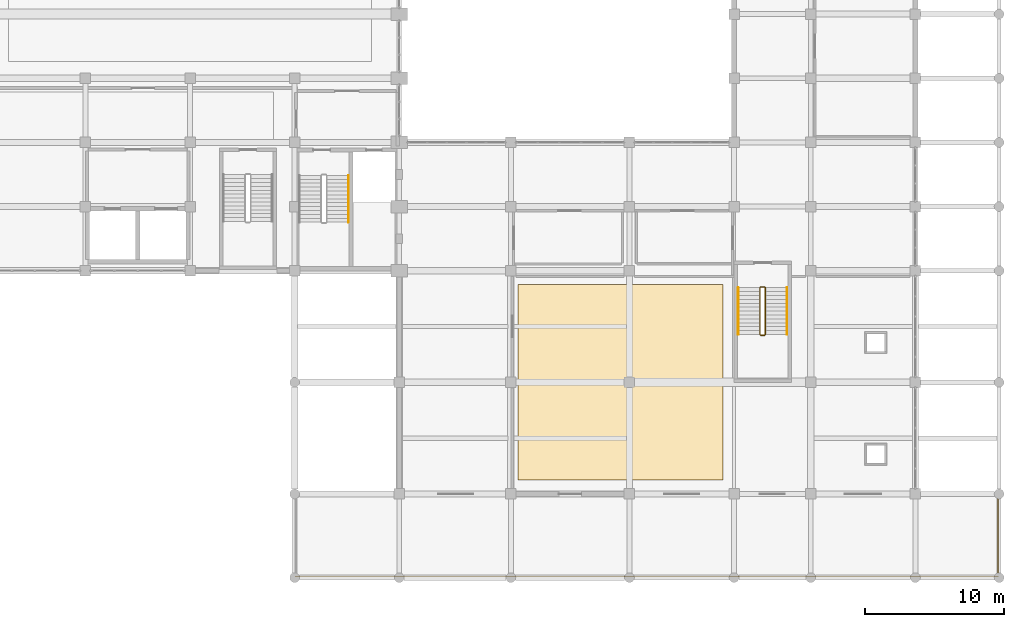
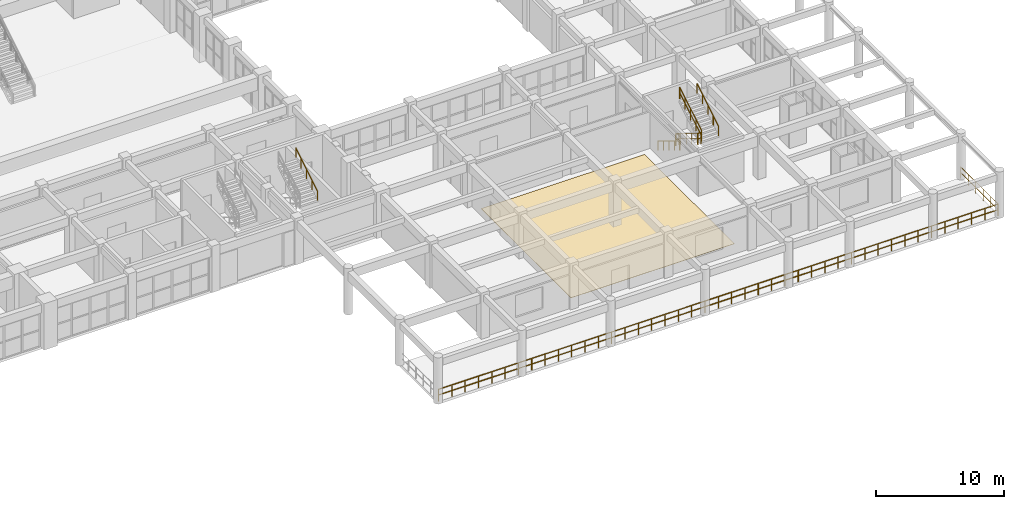
# One storey, part 114 of 116: 9 railings, 1 covering.
"""IFC4 building model written with IfcOpenShell, lengths in metres."""

from ifc_helpers import new_model, si_unit, direction, frame, origin, origin_2d, place, context, subcontext, project, spatial, polyline, circle, outline, extrude, material, layer, layer_set, type_object, element, save


model = new_model("IFC4")

# Units and contexts
model_context = context("Model", 3, precision=1e-05, world=origin(), true_north=direction((0.0, 1.0)))
body_context = subcontext(model_context, "Body", "Model", "MODEL_VIEW")
ifc_project = project(units=[si_unit("LENGTHUNIT", "METRE"), si_unit("AREAUNIT", "SQUARE_METRE"), si_unit("VOLUMEUNIT", "CUBIC_METRE"), si_unit("PLANEANGLEUNIT", "RADIAN"), si_unit("MASSUNIT", "GRAM", prefix="KILO")], contexts=[model_context])

# Site, building, storey
site_placement = place(None, origin())
site = spatial("IfcSite", under=ifc_project, at=site_placement, CompositionType="ELEMENT")
building_placement = place(site_placement, origin())
building = spatial("IfcBuilding", under=site, at=building_placement, Name="Muzn Square Opera House", CompositionType="ELEMENT")
storey_placement = place(building_placement, frame((0.0, 0.0, 5.39990234375)))
storey = spatial("IfcBuildingStorey", under=building, at=storey_placement, Name="L01", CompositionType="ELEMENT", Elevation=5.39990234375)

# Railings
ifc_material_1 = material(Name="Architectural bronze mashrabiya", Category="metal")
railing_type_1 = type_object("IfcRailingType", Name="Bronze Protective Balustrade 1120mm", PredefinedType="BALUSTRADE", material=ifc_material_1)
railing_1_placement = place(storey_placement, frame((125.580078125, 0.080078125, 0.0)))
element("IfcRailing", 1, at=railing_1_placement, inside=storey, type_object=railing_type_1, Name="East Loggia Terrace Balustrade L01-0180", PredefinedType="BALUSTRADE", context=body_context, shape_type="SweptSolid", body=[
    extrude(circle(Radius=0.02392578125, at=origin_2d()), frame((0.0, 0.0, 1.09619140625), z_axis=(1.0, 0.0, 0.0), x_axis=(0.0, 1.0, 0.0)), (0.0, 0.0, 1.0), 50.33984375),
    extrude(circle(Radius=0.02392578125, at=origin_2d()), frame((0.0, 0.0, 0.56005859375), z_axis=(1.0, 0.0, 0.0), x_axis=(0.0, 1.0, 0.0)), (0.0, 0.0, 1.0), 50.33984375),
    extrude(circle(Radius=0.02099609375, at=origin_2d()), origin(), (0.0, 0.0, 1.0), 1.072021484375),
    extrude(circle(Radius=0.02099609375, at=origin_2d()), frame((1.198486328125, 0.0, 0.0)), (0.0, 0.0, 1.0), 1.072021484375),
    extrude(circle(Radius=0.02099609375, at=origin_2d()), frame((2.397216796875, 0.0, 0.0)), (0.0, 0.0, 1.0), 1.072021484375),
    extrude(circle(Radius=0.02099609375, at=origin_2d()), frame((3.595703125, 0.0, 0.0)), (0.0, 0.0, 1.0), 1.072021484375),
    extrude(circle(Radius=0.02099609375, at=origin_2d()), frame((4.794189453125, 0.0, 0.0)), (0.0, 0.0, 1.0), 1.072021484375),
    extrude(circle(Radius=0.02099609375, at=origin_2d()), frame((5.992919921875, 0.0, 0.0)), (0.0, 0.0, 1.0), 1.072021484375),
    extrude(circle(Radius=0.02099609375, at=origin_2d()), frame((7.19140625, 0.0, 0.0)), (0.0, 0.0, 1.0), 1.072021484375),
    extrude(circle(Radius=0.02099609375, at=origin_2d()), frame((8.389892578125, 0.0, 0.0)), (0.0, 0.0, 1.0), 1.072021484375),
    extrude(circle(Radius=0.02099609375, at=origin_2d()), frame((9.588623046875, 0.0, 0.0)), (0.0, 0.0, 1.0), 1.072021484375),
    extrude(circle(Radius=0.02099609375, at=origin_2d()), frame((10.787109375, 0.0, 0.0)), (0.0, 0.0, 1.0), 1.072021484375),
    extrude(circle(Radius=0.02099609375, at=origin_2d()), frame((11.985595703125, 0.0, 0.0)), (0.0, 0.0, 1.0), 1.072021484375),
    extrude(circle(Radius=0.02099609375, at=origin_2d()), frame((13.184326171875, 0.0, 0.0)), (0.0, 0.0, 1.0), 1.072021484375),
    extrude(circle(Radius=0.02099609375, at=origin_2d()), frame((14.3828125, 0.0, 0.0)), (0.0, 0.0, 1.0), 1.072021484375),
    extrude(circle(Radius=0.02099609375, at=origin_2d()), frame((15.581298828125, 0.0, 0.0)), (0.0, 0.0, 1.0), 1.072021484375),
    extrude(circle(Radius=0.02099609375, at=origin_2d()), frame((16.780029296875, 0.0, 0.0)), (0.0, 0.0, 1.0), 1.072021484375),
    extrude(circle(Radius=0.02099609375, at=origin_2d()), frame((17.978515625, 0.0, 0.0)), (0.0, 0.0, 1.0), 1.072021484375),
    extrude(circle(Radius=0.02099609375, at=origin_2d()), frame((19.177001953125, 0.0, 0.0)), (0.0, 0.0, 1.0), 1.072021484375),
    extrude(circle(Radius=0.02099609375, at=origin_2d()), frame((20.375732421875, 0.0, 0.0)), (0.0, 0.0, 1.0), 1.072021484375),
    extrude(circle(Radius=0.02099609375, at=origin_2d()), frame((21.57421875, 0.0, 0.0)), (0.0, 0.0, 1.0), 1.072021484375),
    extrude(circle(Radius=0.02099609375, at=origin_2d()), frame((22.772705078125, 0.0, 0.0)), (0.0, 0.0, 1.0), 1.072021484375),
    extrude(circle(Radius=0.02099609375, at=origin_2d()), frame((23.971435546875, 0.0, 0.0)), (0.0, 0.0, 1.0), 1.072021484375),
    extrude(circle(Radius=0.02099609375, at=origin_2d()), frame((25.169921875, 0.0, 0.0)), (0.0, 0.0, 1.0), 1.072021484375),
    extrude(circle(Radius=0.02099609375, at=origin_2d()), frame((26.368408203125, 0.0, 0.0)), (0.0, 0.0, 1.0), 1.072021484375),
    extrude(circle(Radius=0.02099609375, at=origin_2d()), frame((27.567138671875, 0.0, 0.0)), (0.0, 0.0, 1.0), 1.072021484375),
    extrude(circle(Radius=0.02099609375, at=origin_2d()), frame((28.765625, 0.0, 0.0)), (0.0, 0.0, 1.0), 1.072021484375),
    extrude(circle(Radius=0.02099609375, at=origin_2d()), frame((29.964111328125, 0.0, 0.0)), (0.0, 0.0, 1.0), 1.072021484375),
    extrude(circle(Radius=0.02099609375, at=origin_2d()), frame((31.162841796875, 0.0, 0.0)), (0.0, 0.0, 1.0), 1.072021484375),
    extrude(circle(Radius=0.02099609375, at=origin_2d()), frame((32.361328125, 0.0, 0.0)), (0.0, 0.0, 1.0), 1.072021484375),
    extrude(circle(Radius=0.02099609375, at=origin_2d()), frame((33.559814453125, 0.0, 0.0)), (0.0, 0.0, 1.0), 1.072021484375),
    extrude(circle(Radius=0.02099609375, at=origin_2d()), frame((34.758544921875, 0.0, 0.0)), (0.0, 0.0, 1.0), 1.072021484375),
    extrude(circle(Radius=0.02099609375, at=origin_2d()), frame((35.95703125, 0.0, 0.0)), (0.0, 0.0, 1.0), 1.072021484375),
    extrude(circle(Radius=0.02099609375, at=origin_2d()), frame((37.155517578125, 0.0, 0.0)), (0.0, 0.0, 1.0), 1.072021484375),
    extrude(circle(Radius=0.02099609375, at=origin_2d()), frame((38.354248046875, 0.0, 0.0)), (0.0, 0.0, 1.0), 1.072021484375),
    extrude(circle(Radius=0.02099609375, at=origin_2d()), frame((39.552734375, 0.0, 0.0)), (0.0, 0.0, 1.0), 1.072021484375),
    extrude(circle(Radius=0.02099609375, at=origin_2d()), frame((40.751220703125, 0.0, 0.0)), (0.0, 0.0, 1.0), 1.072021484375),
    extrude(circle(Radius=0.02099609375, at=origin_2d()), frame((41.949951171875, 0.0, 0.0)), (0.0, 0.0, 1.0), 1.072021484375),
    extrude(circle(Radius=0.02099609375, at=origin_2d()), frame((43.1484375, 0.0, 0.0)), (0.0, 0.0, 1.0), 1.072021484375),
    extrude(circle(Radius=0.02099609375, at=origin_2d()), frame((44.346923828125, 0.0, 0.0)), (0.0, 0.0, 1.0), 1.072021484375),
    extrude(circle(Radius=0.02099609375, at=origin_2d()), frame((45.545654296875, 0.0, 0.0)), (0.0, 0.0, 1.0), 1.072021484375),
    extrude(circle(Radius=0.02099609375, at=origin_2d()), frame((46.744140625, 0.0, 0.0)), (0.0, 0.0, 1.0), 1.072021484375),
    extrude(circle(Radius=0.02099609375, at=origin_2d()), frame((47.942626953125, 0.0, 0.0)), (0.0, 0.0, 1.0), 1.072021484375),
    extrude(circle(Radius=0.02099609375, at=origin_2d()), frame((49.141357421875, 0.0, 0.0)), (0.0, 0.0, 1.0), 1.072021484375),
    extrude(circle(Radius=0.02099609375, at=origin_2d()), frame((50.33984375, 0.0, 0.0)), (0.0, 0.0, 1.0), 1.072021484375),
])
railing_2_placement = place(storey_placement, frame((175.919921875, 0.080078125, 0.0)))
element("IfcRailing", 2, at=railing_2_placement, inside=storey, type_object=railing_type_1, Name="East Loggia Terrace Balustrade L01-0181", PredefinedType="BALUSTRADE", context=body_context, shape_type="SweptSolid", body=[
    extrude(circle(Radius=0.02392578125, at=origin_2d()), frame((0.0, 0.0, 1.09619140625), z_axis=(0.0, 1.0, 0.0), x_axis=(-1.0, 0.0, 0.0)), (0.0, 0.0, 1.0), 5.83984375),
    extrude(circle(Radius=0.02392578125, at=origin_2d()), frame((0.0, 0.0, 0.56005859375), z_axis=(0.0, 1.0, 0.0), x_axis=(-1.0, 0.0, 0.0)), (0.0, 0.0, 1.0), 5.83984375),
    extrude(circle(Radius=0.02099609375, at=origin_2d()), origin(), (0.0, 0.0, 1.0), 1.072021484375),
    extrude(circle(Radius=0.02099609375, at=origin_2d()), frame((0.0, 1.16796875, 0.0)), (0.0, 0.0, 1.0), 1.072021484375),
    extrude(circle(Radius=0.02099609375, at=origin_2d()), frame((0.0, 2.3359375, 0.0)), (0.0, 0.0, 1.0), 1.072021484375),
    extrude(circle(Radius=0.02099609375, at=origin_2d()), frame((0.0, 3.50390625, 0.0)), (0.0, 0.0, 1.0), 1.072021484375),
    extrude(circle(Radius=0.02099609375, at=origin_2d()), frame((0.0, 4.671875, 0.0)), (0.0, 0.0, 1.0), 1.072021484375),
    extrude(circle(Radius=0.02099609375, at=origin_2d()), frame((0.0, 5.83984375, 0.0)), (0.0, 0.0, 1.0), 1.072021484375),
])

# Covering
ifc_material_2 = material(Name="Polished limestone terrazzo", Category="stone")
ifc_layer = layer(ifc_material_2, 0.030029296875, Name="Polished limestone terrazzo", Category="stone")
ifc_layer_set = layer_set([ifc_layer], Name="Polished limestone terrazzo")
covering_type = type_object("IfcCoveringType", Name="Polished Terrazzo Promenade Flooring", PredefinedType="FLOORING", material=ifc_layer_set)
covering_placement = place(storey_placement, origin())
element("IfcCovering", 3, at=covering_placement, inside=storey, type_object=covering_type, Name="Champagne Bar Terrazzo Flooring", PredefinedType="FLOORING", context=body_context, shape_type="SweptSolid", body=[
    extrude(outline(polyline([(141.5, 7.0), (156.199951171875, 7.0), (156.199951171875, 21.0), (141.5, 21.0), (141.5, 7.0)])), origin(), (0.0, 0.0, 1.0), 0.030029296875),
])

# Railings
ifc_material_3 = material(Name="Brushed stainless steel", Category="metal")
railing_type_2 = type_object("IfcRailingType", Name="Stair Guard Railing 1120mm", PredefinedType="GUARDRAIL", material=ifc_material_3)
railing_3_placement = place(storey_placement, frame((158.860107421875, 20.7900390625, 0.16943359375)))
element("IfcRailing", 4, at=railing_3_placement, inside=storey, type_object=railing_type_2, Name="L01 ST-8 stair guard 1", PredefinedType="GUARDRAIL", context=body_context, shape_type="SweptSolid", body=[
    extrude(circle(Radius=0.02392578125, at=origin_2d()), frame((0.0, 0.0, 1.076171875), z_axis=(0.0, -0.855836976705, 0.517245656632), x_axis=(1.0, 0.0, 0.0)), (0.0, 0.0, 1.0), 3.926025390625),
    extrude(circle(Radius=0.02392578125, at=origin_2d()), frame((0.0, 0.0, 0.550048828125), z_axis=(0.0, -0.855836976705, 0.517245656632), x_axis=(1.0, 0.0, 0.0)), (0.0, 0.0, 1.0), 3.926025390625),
    extrude(circle(Radius=0.02099609375, at=origin_2d()), origin(), (0.0, 0.0, 1.0), 1.052001953125),
    extrude(circle(Radius=0.02099609375, at=origin_2d()), frame((0.0, -0.840087890625, 0.5078125)), (0.0, 0.0, 1.0), 1.052001953125),
    extrude(circle(Radius=0.02099609375, at=origin_2d()), frame((0.0, -1.68017578125, 1.015380859375)), (0.0, 0.0, 1.0), 1.052001953125),
    extrude(circle(Radius=0.02099609375, at=origin_2d()), frame((0.0, -2.52001953125, 1.52294921875)), (0.0, 0.0, 1.0), 1.052001953125),
    extrude(circle(Radius=0.02099609375, at=origin_2d()), frame((0.0, -3.360107421875, 2.03076171875)), (0.0, 0.0, 1.0), 1.052001953125),
])
railing_4_placement = place(storey_placement, frame((158.909912109375, 17.3798828125, 2.2001953125)))
element("IfcRailing", 5, at=railing_4_placement, inside=storey, type_object=railing_type_2, Name="L01 ST-8 stair guard 2", PredefinedType="GUARDRAIL", context=body_context, shape_type="SweptSolid", body=[
    extrude(circle(Radius=0.02392578125, at=origin_2d()), frame((0.0, 0.0, 1.076171875), z_axis=(1.0, 0.0, 0.0), x_axis=(0.0, 1.0, 0.0)), (0.0, 0.0, 1.0), 0.280029296875),
    extrude(circle(Radius=0.02392578125, at=origin_2d()), frame((0.0, 0.0, 0.550048828125), z_axis=(1.0, 0.0, 0.0), x_axis=(0.0, 1.0, 0.0)), (0.0, 0.0, 1.0), 0.280029296875),
    extrude(circle(Radius=0.02099609375, at=origin_2d()), origin(), (0.0, 0.0, 1.0), 1.052001953125),
    extrude(circle(Radius=0.02099609375, at=origin_2d()), frame((0.280029296875, 0.0, 0.0)), (0.0, 0.0, 1.0), 1.052001953125),
])
railing_5_placement = place(storey_placement, frame((159.239990234375, 17.429931640625, 2.369384765625)))
element("IfcRailing", 6, at=railing_5_placement, inside=storey, type_object=railing_type_2, Name="L01 ST-8 stair guard 3", PredefinedType="GUARDRAIL", context=body_context, shape_type="SweptSolid", body=[
    extrude(circle(Radius=0.02392578125, at=origin_2d()), frame((0.0, 0.0, 1.076171875), z_axis=(0.0, 0.855836976705, 0.517245656632), x_axis=(-1.0, 0.0, 0.0)), (0.0, 0.0, 1.0), 3.926025390625),
    extrude(circle(Radius=0.02392578125, at=origin_2d()), frame((0.0, 0.0, 0.550048828125), z_axis=(0.0, 0.855836976705, 0.517245656632), x_axis=(-1.0, 0.0, 0.0)), (0.0, 0.0, 1.0), 3.926025390625),
    extrude(circle(Radius=0.02099609375, at=origin_2d()), origin(), (0.0, 0.0, 1.0), 1.052001953125),
    extrude(circle(Radius=0.02099609375, at=origin_2d()), frame((0.0, 0.840087890625, 0.5078125)), (0.0, 0.0, 1.0), 1.052001953125),
    extrude(circle(Radius=0.02099609375, at=origin_2d()), frame((0.0, 1.68017578125, 1.015380859375)), (0.0, 0.0, 1.0), 1.052001953125),
    extrude(circle(Radius=0.02099609375, at=origin_2d()), frame((0.0, 2.52001953125, 1.52294921875)), (0.0, 0.0, 1.0), 1.052001953125),
    extrude(circle(Radius=0.02099609375, at=origin_2d()), frame((0.0, 3.360107421875, 2.03076171875)), (0.0, 0.0, 1.0), 1.052001953125),
])
railing_6_placement = place(storey_placement, frame((158.909912109375, 20.840087890625, 0.0)))
element("IfcRailing", 7, at=railing_6_placement, inside=storey, type_object=railing_type_2, Name="L01 ST-8 stair guard 4", PredefinedType="GUARDRAIL", context=body_context, shape_type="SweptSolid", body=[
    extrude(circle(Radius=0.02392578125, at=origin_2d()), frame((0.0, 0.0, 1.076171875), z_axis=(1.0, 0.0, 0.0), x_axis=(0.0, 1.0, 0.0)), (0.0, 0.0, 1.0), 0.280029296875),
    extrude(circle(Radius=0.02392578125, at=origin_2d()), frame((0.0, 0.0, 0.550048828125), z_axis=(1.0, 0.0, 0.0), x_axis=(0.0, 1.0, 0.0)), (0.0, 0.0, 1.0), 0.280029296875),
    extrude(circle(Radius=0.02099609375, at=origin_2d()), origin(), (0.0, 0.0, 1.0), 1.052001953125),
    extrude(circle(Radius=0.02099609375, at=origin_2d()), frame((0.280029296875, 0.0, 0.0)), (0.0, 0.0, 1.0), 1.052001953125),
])
railing_type_3 = type_object("IfcRailingType", Name="Stair Pitch Handrail 900mm", PredefinedType="HANDRAIL", material=ifc_material_3)
railing_7_placement = place(storey_placement, frame((129.35009765625, 25.47998046875, 2.369384765625)))
element("IfcRailing", 8, at=railing_7_placement, inside=storey, type_object=railing_type_3, Name="L01 ST-4 stair handrail 2", PredefinedType="HANDRAIL", context=body_context, shape_type="SweptSolid", body=[
    extrude(circle(Radius=0.02392578125, at=origin_2d()), frame((0.0, 0.0, 0.8759765625), z_axis=(0.0, 0.855836976705, 0.517245656632), x_axis=(-1.0, 0.0, 0.0)), (0.0, 0.0, 1.0), 3.926025390625),
    extrude(circle(Radius=0.02099609375, at=origin_2d()), origin(), (0.0, 0.0, 1.0), 0.851806640625),
    extrude(circle(Radius=0.02099609375, at=origin_2d()), frame((0.0, 0.840087890625, 0.5078125)), (0.0, 0.0, 1.0), 0.851806640625),
    extrude(circle(Radius=0.02099609375, at=origin_2d()), frame((0.0, 1.68017578125, 1.015380859375)), (0.0, 0.0, 1.0), 0.851806640625),
    extrude(circle(Radius=0.02099609375, at=origin_2d()), frame((0.0, 2.52001953125, 1.52294921875)), (0.0, 0.0, 1.0), 0.851806640625),
    extrude(circle(Radius=0.02099609375, at=origin_2d()), frame((0.0, 3.360107421875, 2.03076171875)), (0.0, 0.0, 1.0), 0.851806640625),
])
railing_8_placement = place(storey_placement, frame((157.300048828125, 20.7900390625, 0.16943359375)))
element("IfcRailing", 9, at=railing_8_placement, inside=storey, type_object=railing_type_3, Name="L01 ST-8 stair handrail 1", PredefinedType="HANDRAIL", context=body_context, shape_type="SweptSolid", body=[
    extrude(circle(Radius=0.02392578125, at=origin_2d()), frame((0.0, 0.0, 0.8759765625), z_axis=(0.0, -0.855836976705, 0.517245656632), x_axis=(1.0, 0.0, 0.0)), (0.0, 0.0, 1.0), 3.926025390625),
    extrude(circle(Radius=0.02099609375, at=origin_2d()), origin(), (0.0, 0.0, 1.0), 0.851806640625),
    extrude(circle(Radius=0.02099609375, at=origin_2d()), frame((0.0, -0.840087890625, 0.5078125)), (0.0, 0.0, 1.0), 0.851806640625),
    extrude(circle(Radius=0.02099609375, at=origin_2d()), frame((0.0, -1.68017578125, 1.015380859375)), (0.0, 0.0, 1.0), 0.851806640625),
    extrude(circle(Radius=0.02099609375, at=origin_2d()), frame((0.0, -2.52001953125, 1.52294921875)), (0.0, 0.0, 1.0), 0.851806640625),
    extrude(circle(Radius=0.02099609375, at=origin_2d()), frame((0.0, -3.360107421875, 2.03076171875)), (0.0, 0.0, 1.0), 0.851806640625),
])
railing_9_placement = place(storey_placement, frame((160.800048828125, 17.429931640625, 2.369384765625)))
element("IfcRailing", 10, at=railing_9_placement, inside=storey, type_object=railing_type_3, Name="L01 ST-8 stair handrail 2", PredefinedType="HANDRAIL", context=body_context, shape_type="SweptSolid", body=[
    extrude(circle(Radius=0.02392578125, at=origin_2d()), frame((0.0, 0.0, 0.8759765625), z_axis=(0.0, 0.855836976705, 0.517245656632), x_axis=(-1.0, 0.0, 0.0)), (0.0, 0.0, 1.0), 3.926025390625),
    extrude(circle(Radius=0.02099609375, at=origin_2d()), origin(), (0.0, 0.0, 1.0), 0.851806640625),
    extrude(circle(Radius=0.02099609375, at=origin_2d()), frame((0.0, 0.840087890625, 0.5078125)), (0.0, 0.0, 1.0), 0.851806640625),
    extrude(circle(Radius=0.02099609375, at=origin_2d()), frame((0.0, 1.68017578125, 1.015380859375)), (0.0, 0.0, 1.0), 0.851806640625),
    extrude(circle(Radius=0.02099609375, at=origin_2d()), frame((0.0, 2.52001953125, 1.52294921875)), (0.0, 0.0, 1.0), 0.851806640625),
    extrude(circle(Radius=0.02099609375, at=origin_2d()), frame((0.0, 3.360107421875, 2.03076171875)), (0.0, 0.0, 1.0), 0.851806640625),
])

save(model, "model.ifc")
